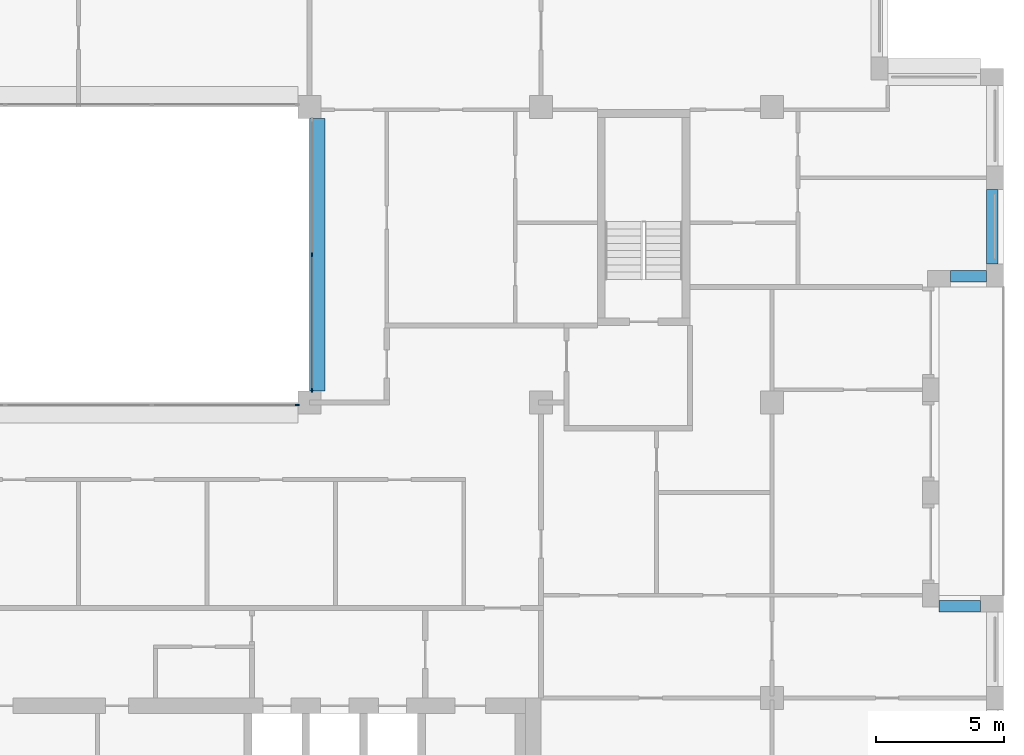
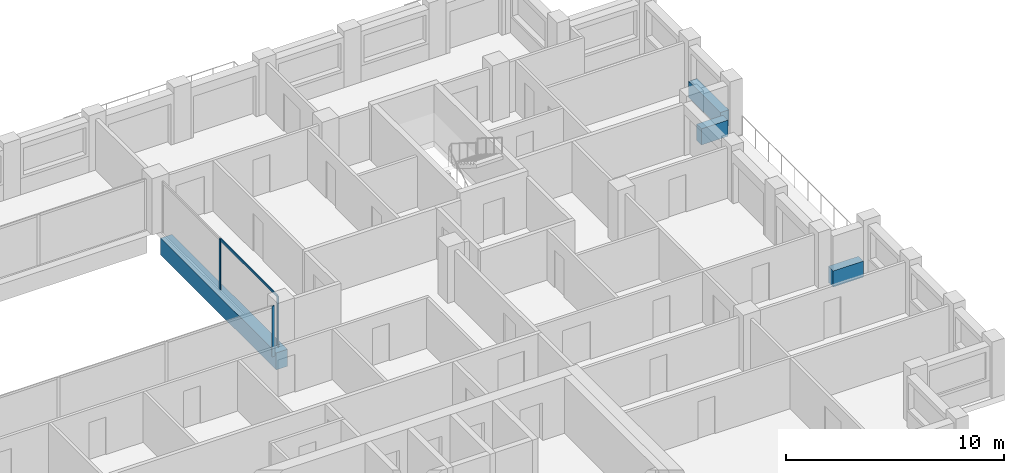
# One storey, part 4 of 15: 4 beams, 4 members, 2 elements without a shape of their own.
"""IFC4 building model written with IfcOpenShell, lengths in metres."""

from ifc_helpers import new_model, si_unit, direction, frame, origin, origin_2d, place, context, subcontext, project, spatial, rectangle, extrude, material, layer, layer_set, material_profile, profile_set, type_object, element, aggregate, save


model = new_model("IFC4")

# Units and contexts
model_context = context("Model", 3, precision=1e-05, world=origin(), true_north=direction((0.0, 1.0)))
body_context = subcontext(model_context, "Body", "Model", "MODEL_VIEW")
ifc_project = project(units=[si_unit("LENGTHUNIT", "METRE"), si_unit("AREAUNIT", "SQUARE_METRE"), si_unit("VOLUMEUNIT", "CUBIC_METRE"), si_unit("PLANEANGLEUNIT", "RADIAN"), si_unit("MASSUNIT", "GRAM", prefix="KILO")], contexts=[model_context])

# Site, building, storey
site_placement = place(None, origin())
site = spatial("IfcSite", under=ifc_project, at=site_placement, CompositionType="ELEMENT")
building_placement = place(site_placement, origin())
building = spatial("IfcBuilding", under=site, at=building_placement, Name="Brigalow Station Residences", CompositionType="ELEMENT")
storey_placement = place(building_placement, frame((0.0, 0.0, 207.449951171875)))
storey = spatial("IfcBuildingStorey", under=building, at=storey_placement, Name="L59", CompositionType="ELEMENT", Elevation=207.449951171875)

# Beam
ifc_material_1 = material(Name="Concrete C65", Category="concrete")
ifc_material_profile_1 = material_profile(ifc_material_1, rectangle(XDim=0.60009765625, YDim=0.949951171875, at=origin_2d()), Name="RC600x950")
ifc_profile_set_1 = profile_set([ifc_material_profile_1], Name="Concrete C65")
beam_type_1 = type_object("IfcBeamType", Name="ATRIUM EDGE GIRDER 600x950 C65", PredefinedType="BEAM", material=ifc_profile_set_1)
beam_1_placement = place(storey_placement, frame((45.300048828125, 24.449951171875, -0.794921875), z_axis=(0.0, 1.0, 0.0), x_axis=(-1.0, 0.0, 0.0)))
element("IfcBeam", 1, at=beam_1_placement, inside=storey, type_object=beam_type_1, Name="ATRIUM EDGE GIRDER 5 L59", PredefinedType="BEAM", context=body_context, shape_type="SweptSolid", body=[
    extrude(rectangle(XDim=0.60009765625, YDim=0.949951171875, at=origin_2d()), origin(), (0.0, 0.0, 1.0), 10.60009765625),
])

# Curtain wall, member
ifc_material_2 = material(Name="Aluminium", Category="aluminium")
ifc_layer = layer(ifc_material_2, 0.14990234375)
ifc_layer_set = layer_set([ifc_layer], Name="ATRIUM FIRE-RATED GLAZING CURTAIN WALL")
curtain_wall_type = type_object("IfcCurtainWallType", Name="ATRIUM FIRE-RATED GLAZING CURTAIN WALL", PredefinedType="NOTDEFINED", material=ifc_layer_set)
curtain_wall_1_placement = place(storey_placement, origin())
curtain_wall_1 = element("IfcCurtainWall", 2, at=curtain_wall_1_placement, inside=storey, type_object=curtain_wall_type, Name="L59/cw/atrium-S", PredefinedType="NOTDEFINED")
ifc_material_3 = material(Name="Aluminium", Category="aluminium")
ifc_material_profile_2 = material_profile(ifc_material_3, rectangle(XDim=0.06005859375, YDim=0.14990234375, at=origin_2d()), Name="ATRIUM FIRE-RATED GLAZING MULLION 60x150")
ifc_profile_set_2 = profile_set([ifc_material_profile_2], Name="Aluminium")
member_type_1 = type_object("IfcMemberType", Name="ATRIUM FIRE-RATED GLAZING MULLION 60x150", PredefinedType="MULLION", material=ifc_profile_set_2)
member_1_placement = place(storey_placement, frame((44.52001953125, 23.89990234375, 0.0), z_axis=(0.0, 0.0, 1.0), x_axis=(0.0, 1.0, 0.0)))
member_1 = element("IfcMember", 3, at=member_1_placement, type_object=member_type_1, Name="L59/cw/atrium-S/M03", PredefinedType="MULLION", context=body_context, shape_type="SweptSolid", body=[
    extrude(rectangle(XDim=0.06005859375, YDim=0.14990234375, at=origin_2d()), origin(), (0.0, 0.0, 1.0), 2.830078125),
])
aggregate(curtain_wall_1, [member_1])

# Curtain wall, members
curtain_wall_2_placement = place(storey_placement, origin())
curtain_wall_2 = element("IfcCurtainWall", 4, at=curtain_wall_2_placement, inside=storey, type_object=curtain_wall_type, Name="L59/cw/atrium-E", PredefinedType="NOTDEFINED")
member_2_placement = place(storey_placement, frame((45.10009765625, 24.47998046875, 0.0), z_axis=(0.0, 0.0, 1.0), x_axis=(-1.0, 0.0, 0.0)))
member_2 = element("IfcMember", 5, at=member_2_placement, type_object=member_type_1, Name="L59/cw/atrium-E/M00", PredefinedType="MULLION", context=body_context, shape_type="SweptSolid", body=[
    extrude(rectangle(XDim=0.06005859375, YDim=0.14990234375, at=origin_2d()), origin(), (0.0, 0.0, 1.0), 2.830078125),
])
member_3_placement = place(storey_placement, frame((45.10009765625, 29.75, 0.0), z_axis=(0.0, 0.0, 1.0), x_axis=(-1.0, 0.0, 0.0)))
member_3 = element("IfcMember", 6, at=member_3_placement, type_object=member_type_1, Name="L59/cw/atrium-E/M01", PredefinedType="MULLION", context=body_context, shape_type="SweptSolid", body=[
    extrude(rectangle(XDim=0.06005859375, YDim=0.14990234375, at=origin_2d()), origin(), (0.0, 0.0, 1.0), 2.830078125),
])
ifc_material_4 = material(Name="Aluminium", Category="aluminium")
ifc_material_profile_3 = material_profile(ifc_material_4, rectangle(XDim=0.06005859375, YDim=0.1201171875, at=origin_2d()), Name="ATRIUM FIRE-RATED GLAZING TRANSOM 60x120")
ifc_profile_set_3 = profile_set([ifc_material_profile_3], Name="Aluminium")
member_type_2 = type_object("IfcMemberType", Name="ATRIUM FIRE-RATED GLAZING TRANSOM 60x120", PredefinedType="USERDEFINED", material=ifc_profile_set_3)
member_4_placement = place(storey_placement, frame((45.10009765625, 24.510009765625, 2.800048828125), z_axis=(0.0, 1.0, 0.0), x_axis=(-1.0, 0.0, 0.0)))
member_4 = element("IfcMember", 7, at=member_4_placement, type_object=member_type_2, Name="L59/cw/atrium-E/T00-00", ObjectType="TRANSOM", PredefinedType="USERDEFINED", context=body_context, shape_type="SweptSolid", body=[
    extrude(rectangle(XDim=0.06005859375, YDim=0.1201171875, at=origin_2d()), origin(), (0.0, 0.0, 1.0), 5.2099609375),
])
aggregate(curtain_wall_2, [member_2, member_3, member_4])

# Beams
ifc_material_5 = material(Name="Concrete C50", Category="concrete")
ifc_material_profile_4 = material_profile(ifc_material_5, rectangle(XDim=0.449951171875, YDim=0.89990234375, at=origin_2d()), Name="RC450x900")
ifc_profile_set_4 = profile_set([ifc_material_profile_4], Name="Concrete C50")
beam_type_2 = type_object("IfcBeamType", Name="SPANDREL BEAM 450x900 C50", PredefinedType="SPANDREL", material=ifc_profile_set_4)
beam_2_placement = place(storey_placement, frame((71.10009765625, 16.074951171875, 0.449951171875), z_axis=(-1.0, 0.0, 0.0), x_axis=(0.0, -1.0, 0.0)))
element("IfcBeam", 8, at=beam_2_placement, inside=storey, type_object=beam_type_2, Name="L59/spandrel/W-L59-11", PredefinedType="SPANDREL", context=body_context, shape_type="SweptSolid", body=[
    extrude(rectangle(XDim=0.449951171875, YDim=0.89990234375, at=origin_2d()), origin(), (0.0, 0.0, 1.0), 1.60009765625),
])
beam_3_placement = place(storey_placement, frame((69.949951171875, 28.925048828125, 0.449951171875), z_axis=(1.0, 0.0, 0.0), x_axis=(0.0, 1.0, 0.0)))
element("IfcBeam", 9, at=beam_3_placement, inside=storey, type_object=beam_type_2, Name="L59/spandrel/W-L59-15", PredefinedType="SPANDREL", context=body_context, shape_type="SweptSolid", body=[
    extrude(rectangle(XDim=0.449951171875, YDim=0.89990234375, at=origin_2d()), origin(), (0.0, 0.0, 1.0), 1.400146484375),
])
beam_4_placement = place(storey_placement, frame((71.574951171875, 29.39990234375, 0.449951171875), z_axis=(0.0, 1.0, 0.0), x_axis=(-1.0, 0.0, 0.0)))
element("IfcBeam", 10, at=beam_4_placement, inside=storey, type_object=beam_type_2, Name="L59/spandrel/W-L59-16", PredefinedType="SPANDREL", context=body_context, shape_type="SweptSolid", body=[
    extrude(rectangle(XDim=0.449951171875, YDim=0.89990234375, at=origin_2d()), origin(), (0.0, 0.0, 1.0), 2.900146484375),
])

save(model, "model.ifc")
